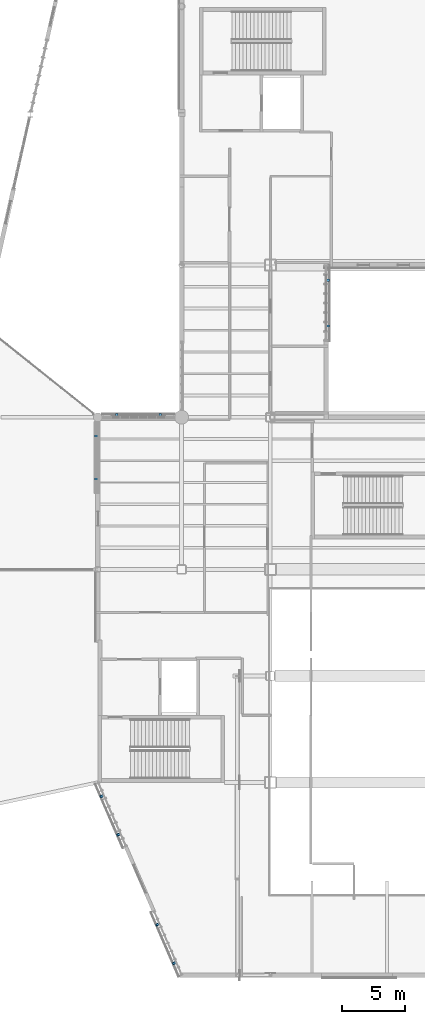
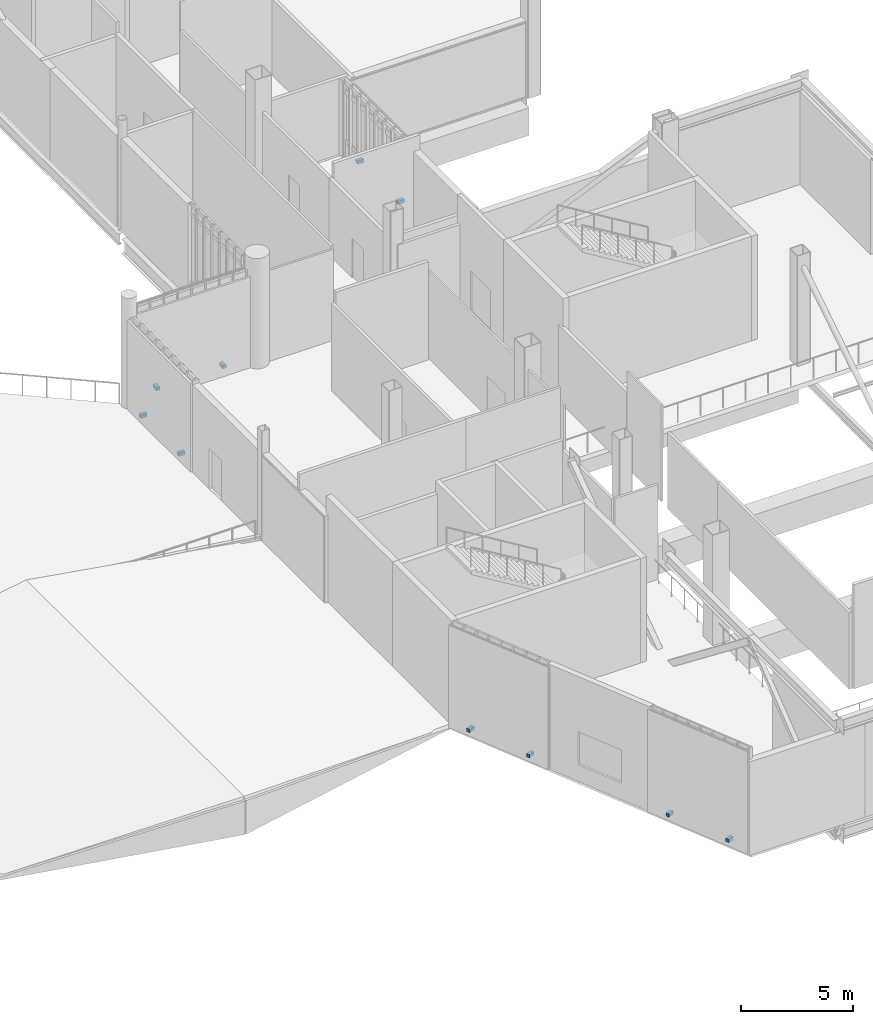
# One storey, part 117 of 135: 10 discrete accessories.
"""IFC4 building model written with IfcOpenShell, lengths in metres."""

from ifc_helpers import new_model, si_unit, direction, frame, origin, origin_2d, place, context, subcontext, project, spatial, rectangle, extrude, material, layer, layer_set, type_object, element, save


model = new_model("IFC4")

# Units and contexts
model_context = context("Model", 3, precision=1e-05, world=origin(), true_north=direction((0.0, 1.0)))
body_context = subcontext(model_context, "Body", "Model", "MODEL_VIEW")
ifc_project = project(units=[si_unit("LENGTHUNIT", "METRE"), si_unit("AREAUNIT", "SQUARE_METRE"), si_unit("VOLUMEUNIT", "CUBIC_METRE"), si_unit("PLANEANGLEUNIT", "RADIAN"), si_unit("MASSUNIT", "GRAM", prefix="KILO")], contexts=[model_context])

# Site, building, storey
site_placement = place(None, origin())
site = spatial("IfcSite", under=ifc_project, at=site_placement, CompositionType="ELEMENT")
building_placement = place(site_placement, origin())
building = spatial("IfcBuilding", under=site, at=building_placement, Name="Larkvane Passage Sports Hall", CompositionType="ELEMENT")
storey_placement = place(building_placement, frame((0.0, 0.0, 10.800048828125)))
storey = spatial("IfcBuildingStorey", under=building, at=storey_placement, Name="L02", CompositionType="ELEMENT", Elevation=10.800048828125)

# Discrete accessories
ifc_material = material(Name="Steel S355JR", Category="steel")
ifc_layer = layer(ifc_material, 0.179931640625)
ifc_layer_set = layer_set([ifc_layer], Name="Steel S355JR")
discrete_accessory_type = type_object("IfcDiscreteAccessoryType", Name="ACC-BRACKET-STL", PredefinedType="BRACKET", material=ifc_layer_set)
for number, where, z_axis, x_axis, name in (
    (1, (136.1201171875, 62.39990234375, 0.259765625), (0.0, 0.0, 1.0), (0.0, -1.0, 0.0), "Veil outrigger bracket L02-050-1"),
    (2, (136.1201171875, 58.800048828125, 0.259765625), (0.0, 0.0, 1.0), (0.0, -1.0, 0.0), "Veil outrigger bracket L02-050-2"),
    (3, (124.050048828125, 8.5654296875, 0.259765625), (0.0, 0.0, 1.0), (-0.398284741879, 0.917261829788, 0.0), "Veil outrigger bracket L02-052-1"),
    (4, (122.72998046875, 11.60546875, 0.259765625), (0.0, 0.0, 1.0), (-0.398284741879, 0.917261829788, 0.0), "Veil outrigger bracket L02-052-2"),
    (5, (119.65087890625, 18.69677734375, 0.259765625), (0.0, 0.0, 1.0), (-0.398284741879, 0.917261829788, 0.0), "Veil outrigger bracket L02-053-1"),
    (6, (118.33349609375, 21.73095703125, 0.259765625), (0.0, 0.0, 1.0), (-0.398284741879, 0.917261829788, 0.0), "Veil outrigger bracket L02-053-2"),
    (7, (117.8798828125, 46.730712890625, 0.259765625), (0.0, 0.0, 1.0), (0.0, 1.0, 0.0), "Veil outrigger bracket L02-054-1"),
    (8, (117.8798828125, 50.123291015625, 0.259765625), (0.0, 0.0, 1.0), (0.0, 1.0, 0.0), "Veil outrigger bracket L02-054-2"),
    (9, (119.487548828125, 51.719970703125, 0.259765625), (0.0, 0.0, 1.0), (1.0, 0.0, 0.0), "Veil outrigger bracket L02-055-1"),
    (10, (122.912353515625, 51.719970703125, 0.259765625), (0.0, 0.0, 1.0), (1.0, 0.0, 0.0), "Veil outrigger bracket L02-055-2"),
):
    element("IfcDiscreteAccessory", number, at=place(storey_placement, frame(where, z_axis=z_axis, x_axis=x_axis)), inside=storey, type_object=discrete_accessory_type, Name=name, PredefinedType="BRACKET", context=body_context, shape_type="SweptSolid", body=[
        extrude(rectangle(XDim=0.179931640625, YDim=0.320068359375, at=origin_2d()), origin(), (0.0, 0.0, 1.0), 0.179931640625),
    ])

save(model, "model.ifc")
